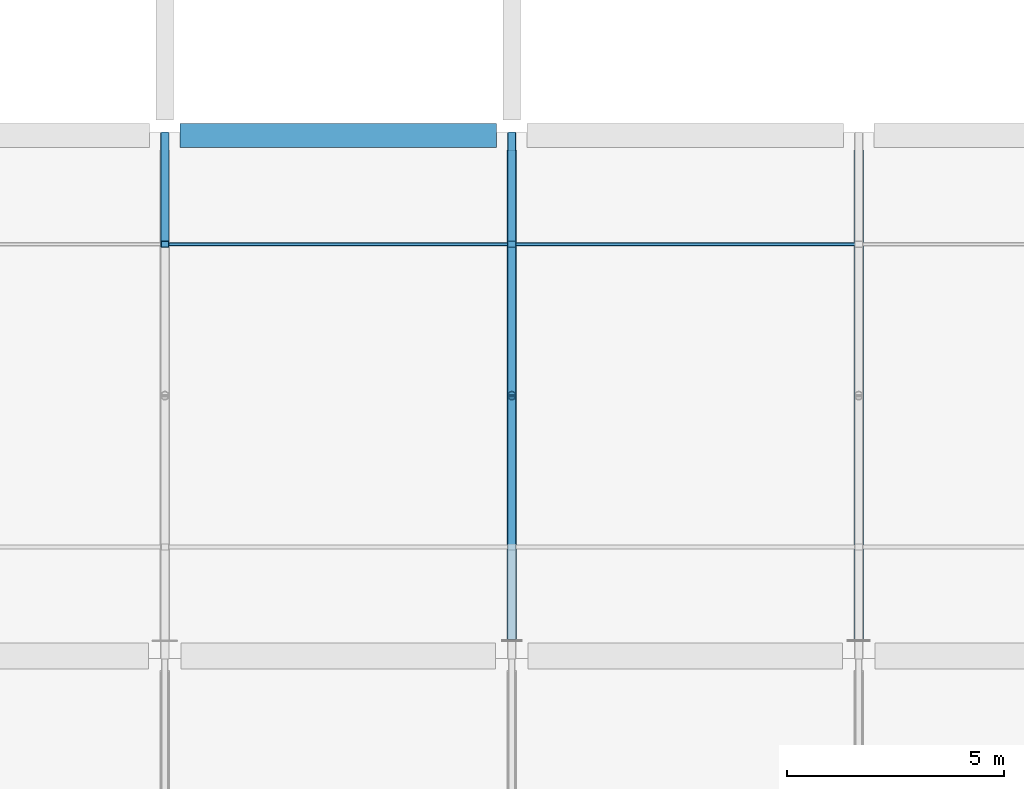
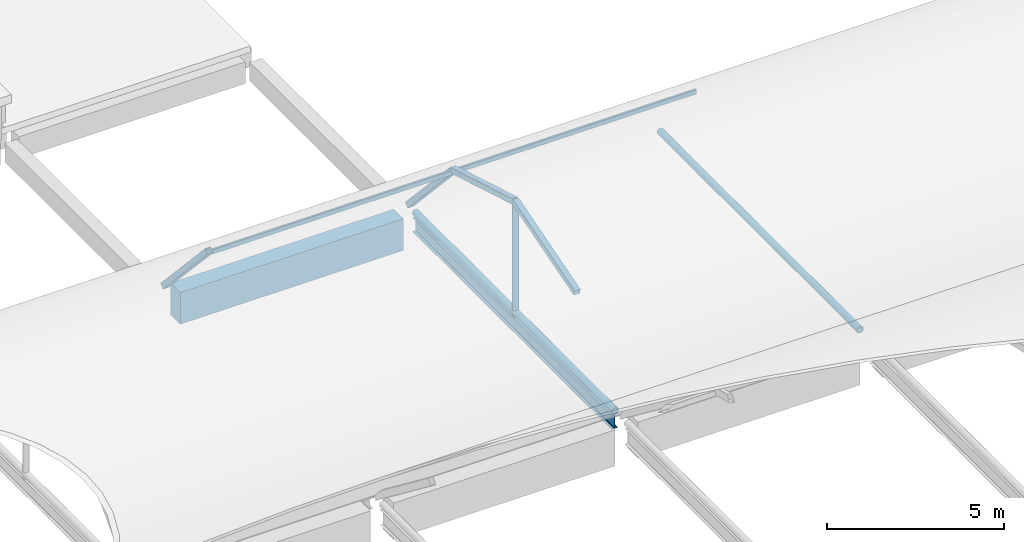
# One storey, part 37 of 57: 9 members, 2 beams.
"""IFC4 building model written with IfcOpenShell, lengths in metres."""

from ifc_helpers import new_model, si_unit, direction, frame, origin, origin_2d, place, context, subcontext, project, spatial, rectangle, hollow_rectangle, hollow_circle, i_section, extrude, material, material_profile, profile_set, type_object, element, save


model = new_model("IFC4")

# Units and contexts
model_context = context("Model", 3, precision=1e-05, world=origin(), true_north=direction((0.0, 1.0)))
body_context = subcontext(model_context, "Body", "Model", "MODEL_VIEW")
ifc_project = project(units=[si_unit("LENGTHUNIT", "METRE"), si_unit("AREAUNIT", "SQUARE_METRE"), si_unit("VOLUMEUNIT", "CUBIC_METRE"), si_unit("PLANEANGLEUNIT", "RADIAN"), si_unit("MASSUNIT", "GRAM", prefix="KILO"), si_unit("THERMODYNAMICTEMPERATUREUNIT", "KELVIN"), si_unit("POWERUNIT", "WATT")], contexts=[model_context])

# Site, building, storey
site_placement = place(None, origin())
site = spatial("IfcSite", under=ifc_project, at=site_placement, CompositionType="ELEMENT")
building_placement = place(site_placement, origin())
building = spatial("IfcBuilding", under=site, at=building_placement, Name="Kronsvod Quay Wholesale Market", CompositionType="ELEMENT")
storey_placement = place(building_placement, frame((0.0, 0.0, 13.199951171875)))
storey = spatial("IfcBuildingStorey", under=building, at=storey_placement, Name="L03", CompositionType="ELEMENT", Elevation=13.199951171875)

# Beams
ifc_material_1 = material(Name="Precast concrete C40/50", Category="concrete")
ifc_material_profile_1 = material_profile(ifc_material_1, rectangle(XDim=0.550048828125, YDim=1.10009765625, at=origin_2d()), Name="PCVG550x1100")
ifc_profile_set_1 = profile_set([ifc_material_profile_1], Name="Precast concrete C40/50")
beam_type_1 = type_object("IfcBeamType", Name="Girder_PCVG550x1100", PredefinedType="T_BEAM", material=ifc_profile_set_1)
beam_1_placement = place(storey_placement, frame((144.35009765625, 90.0, -0.77001953125), z_axis=(1.0, 0.0, 0.0), x_axis=(0.0, 1.0, 0.0)))
element("IfcBeam", 1, at=beam_1_placement, inside=storey, type_object=beam_type_1, Name="BMX-L03-1440-900", PredefinedType="T_BEAM", context=body_context, shape_type="SweptSolid", body=[
    extrude(rectangle(XDim=0.550048828125, YDim=1.10009765625, at=origin_2d()), origin(), (0.0, 0.0, 1.0), 7.2998046875),
])
ifc_material_2 = material(Name="Steel S355", Category="steel")
ifc_material_profile_2 = material_profile(ifc_material_2, i_section(OverallWidth=0.198974609375, OverallDepth=0.49609375, WebThickness=0.009033203125, FlangeThickness=0.013916015625, FilletRadius=0.02001953125, at=origin_2d()), Name="50B1")
ifc_profile_set_2 = profile_set([ifc_material_profile_2], Name="Steel S355")
beam_type_2 = type_object("IfcBeamType", Name="Girder_Steel50B1", PredefinedType="T_BEAM", material=ifc_profile_set_2)
beam_2_placement = place(storey_placement, frame((152.0, 78.375, -0.468017578125), z_axis=(0.0, 1.0, 0.0), x_axis=(-1.0, 0.0, 0.0)))
element("IfcBeam", 2, at=beam_2_placement, inside=storey, type_object=beam_type_2, Name="BMY-L03-1520-780", PredefinedType="T_BEAM", context=body_context, shape_type="SweptSolid", body=[
    extrude(i_section(OverallWidth=0.198974609375, OverallDepth=0.49609375, WebThickness=0.009033203125, FlangeThickness=0.013916015625, FilletRadius=0.02001953125, at=origin_2d()), origin(), (0.0, 0.0, 1.0), 11.27490234375),
])

# Members
ifc_material_3 = material(Name="Steel S355", Category="steel")
ifc_material_profile_3 = material_profile(ifc_material_3, hollow_rectangle(XDim=0.199951171875, YDim=0.199951171875, WallThickness=0.010009765625, InnerFilletRadius=0.010009765625, OuterFilletRadius=0.02001953125, at=origin_2d()), Name="RHS200x200x10")
ifc_profile_set_3 = profile_set([ifc_material_profile_3], Name="Steel S355")
member_type_1 = type_object("IfcMemberType", Name="Member_Arch200x200", PredefinedType="RAFTER", material=ifc_profile_set_3)
member_1_placement = place(storey_placement, frame((144.0, 87.490966796875, 2.705322265625), z_axis=(0.0, 0.67865576732, -0.734456499381), x_axis=(-1.0, 0.0, 0.0)))
element("IfcMember", 3, at=member_1_placement, inside=storey, type_object=member_type_1, Name="ARCG-SH-V2E-N-1440-3", PredefinedType="RAFTER", context=body_context, shape_type="SweptSolid", body=[
    extrude(hollow_rectangle(XDim=0.199951171875, YDim=0.199951171875, WallThickness=0.010009765625, InnerFilletRadius=0.010009765625, OuterFilletRadius=0.02001953125, at=origin_2d()), origin(), (0.0, 0.0, 1.0), 3.697021484375),
])
for number, where, z_axis, x_axis, name in (
    (4, (152.0, 80.509033203125, 2.705322265625), (0.0, 0.95877511068, 0.284165950001), (-1.0, 0.0, 0.0), "ARCG-SH-V2E-N-1520-1"),
    (5, (152.0, 84.0, 3.739990234375), (0.0, 0.95877511068, -0.284165950001), (-1.0, 0.0, 0.0), "ARCG-SH-V2E-N-1520-2"),
):
    element("IfcMember", number, at=place(storey_placement, frame(where, z_axis=z_axis, x_axis=x_axis)), inside=storey, type_object=member_type_1, Name=name, PredefinedType="RAFTER", context=body_context, shape_type="SweptSolid", body=[
        extrude(hollow_rectangle(XDim=0.199951171875, YDim=0.199951171875, WallThickness=0.010009765625, InnerFilletRadius=0.010009765625, OuterFilletRadius=0.02001953125, at=origin_2d()), origin(), (0.0, 0.0, 1.0), 3.64111328125),
    ])
member_2_placement = place(storey_placement, frame((152.0, 87.490966796875, 2.705322265625), z_axis=(0.0, 0.67865576732, -0.734456499381), x_axis=(-1.0, 0.0, 0.0)))
element("IfcMember", 6, at=member_2_placement, inside=storey, type_object=member_type_1, Name="ARCG-SH-V2E-N-1520-3", PredefinedType="RAFTER", context=body_context, shape_type="SweptSolid", body=[
    extrude(hollow_rectangle(XDim=0.199951171875, YDim=0.199951171875, WallThickness=0.010009765625, InnerFilletRadius=0.010009765625, OuterFilletRadius=0.02001953125, at=origin_2d()), origin(), (0.0, 0.0, 1.0), 3.697021484375),
])
ifc_material_4 = material(Name="Steel S355", Category="steel")
ifc_material_profile_4 = material_profile(ifc_material_4, hollow_circle(Radius=0.096923828125, WallThickness=0.008056640625, at=origin_2d()), Name="CHS194x8")
ifc_profile_set_4 = profile_set([ifc_material_profile_4], Name="Steel S355")
member_type_2 = type_object("IfcMemberType", Name="Member_Brace194x8", PredefinedType="BRACE", material=ifc_profile_set_4)
member_3_placement = place(storey_placement, frame((152.0, 84.0, -0.22998046875), z_axis=(0.0, 0.0, 1.0), x_axis=(1.0, 0.0, 0.0)))
element("IfcMember", 7, at=member_3_placement, inside=storey, type_object=member_type_2, Name="KPST-SH-V2E-N-1520", PredefinedType="BRACE", context=body_context, shape_type="SweptSolid", body=[
    extrude(hollow_circle(Radius=0.096923828125, WallThickness=0.008056640625, at=origin_2d()), origin(), (0.0, 0.0, 1.0), 3.969970703125),
])
ifc_material_5 = material(Name="Steel S355", Category="steel")
ifc_material_profile_5 = material_profile(ifc_material_5, hollow_circle(Radius=0.109619140625, WallThickness=0.010009765625, at=origin_2d()), Name="CHS219x10")
ifc_profile_set_5 = profile_set([ifc_material_profile_5], Name="Steel S355")
member_type_3 = type_object("IfcMemberType", Name="Member_Chord219x10", PredefinedType="CHORD", material=ifc_profile_set_5)
for number, where, z_axis, x_axis, name in (
    (8, (152.0, 78.340087890625, -0.079833984375), (0.0, 1.0, 0.0), (-1.0, 0.0, 0.0), "CHDG-SH-V2E-N-1520"),
    (9, (160.0, 78.340087890625, -0.079833984375), (0.0, 1.0, 0.0), (-1.0, 0.0, 0.0), "CHDG-SH-V2E-N-1600"),
):
    element("IfcMember", number, at=place(storey_placement, frame(where, z_axis=z_axis, x_axis=x_axis)), inside=storey, type_object=member_type_3, Name=name, PredefinedType="CHORD", context=body_context, shape_type="SweptSolid", body=[
        extrude(hollow_circle(Radius=0.109619140625, WallThickness=0.010009765625, at=origin_2d()), origin(), (0.0, 0.0, 1.0), 11.31982421875),
    ])
ifc_material_6 = material(Name="Steel S355", Category="steel")
ifc_material_profile_6 = material_profile(ifc_material_6, hollow_rectangle(XDim=0.080078125, YDim=0.159912109375, WallThickness=0.006103515625, InnerFilletRadius=0.006103515625, OuterFilletRadius=0.011962890625, at=origin_2d()), Name="RHS160x80x6")
ifc_profile_set_6 = profile_set([ifc_material_profile_6], Name="Steel S355")
member_type_4 = type_object("IfcMemberType", Name="Member_Purlin160x80", PredefinedType="PURLIN", material=ifc_profile_set_6)
for number, where, z_axis, x_axis, name in (
    (10, (144.080078125, 87.490966796875, 2.645263671875), (1.0, 0.0, 0.0), (0.0, 1.0, 0.0), "PRLG-SH-V2E-N-1-1"),
    (11, (152.080078125, 87.490966796875, 2.645263671875), (1.0, 0.0, 0.0), (0.0, 1.0, 0.0), "PRLG-SH-V2E-N-2-1"),
):
    element("IfcMember", number, at=place(storey_placement, frame(where, z_axis=z_axis, x_axis=x_axis)), inside=storey, type_object=member_type_4, Name=name, PredefinedType="PURLIN", context=body_context, shape_type="SweptSolid", body=[
        extrude(hollow_rectangle(XDim=0.080078125, YDim=0.159912109375, WallThickness=0.006103515625, InnerFilletRadius=0.006103515625, OuterFilletRadius=0.011962890625, at=origin_2d()), origin(), (0.0, 0.0, 1.0), 7.83984375),
    ])

save(model, "model.ifc")
